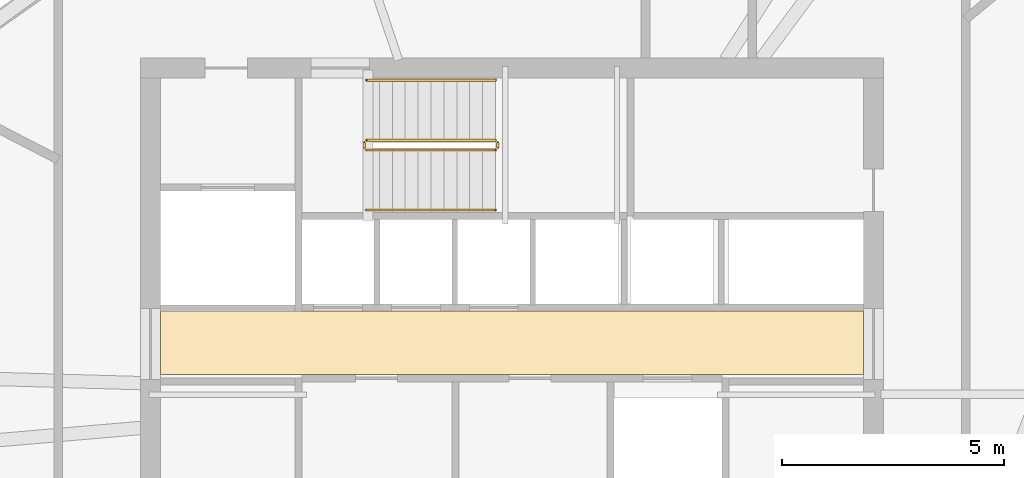
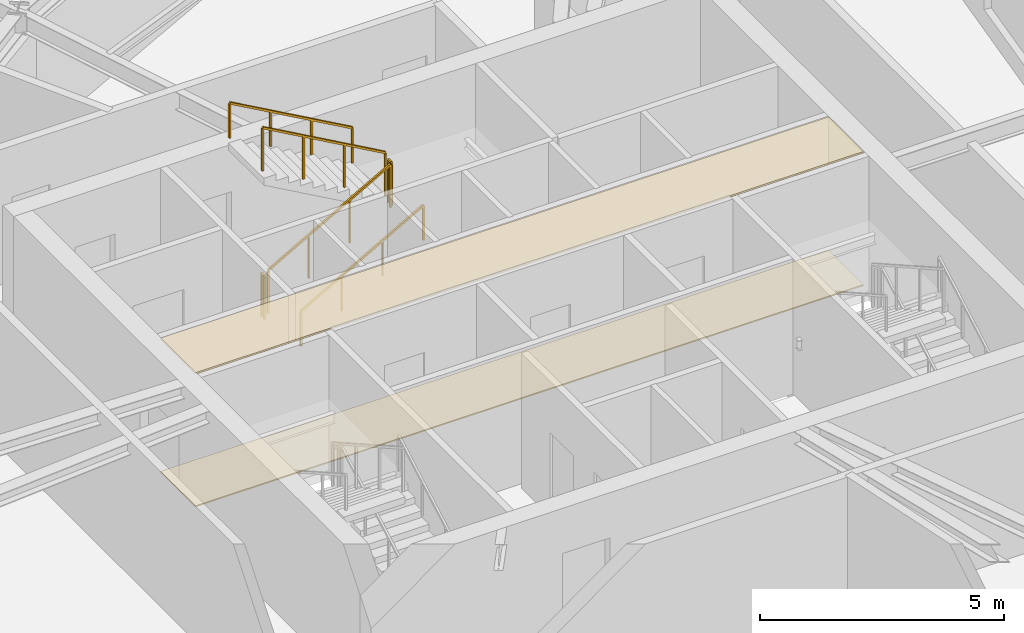
# One storey, part 13 of 14: 6 railings, 2 coverings.
"""IFC4 building model written with IfcOpenShell, lengths in metres."""

from ifc_helpers import new_model, si_unit, direction, frame, origin, origin_2d, place, context, subcontext, project, spatial, polyline, rectangle, outline, extrude, material, layer, layer_set, type_object, element, save


model = new_model("IFC4")

# Units and contexts
model_context = context("Model", 3, precision=1e-05, world=origin(), true_north=direction((0.0, 1.0)))
body_context = subcontext(model_context, "Body", "Model", "MODEL_VIEW")
ifc_project = project(units=[si_unit("LENGTHUNIT", "METRE"), si_unit("AREAUNIT", "SQUARE_METRE"), si_unit("VOLUMEUNIT", "CUBIC_METRE"), si_unit("PLANEANGLEUNIT", "RADIAN"), si_unit("MASSUNIT", "GRAM", prefix="KILO")], contexts=[model_context])

# Site, building, storey
site_placement = place(None, origin())
site = spatial("IfcSite", under=ifc_project, at=site_placement, CompositionType="ELEMENT")
building_placement = place(site_placement, origin())
building = spatial("IfcBuilding", under=site, at=building_placement, Name="Olszyna Solenne Hotel", CompositionType="ELEMENT")
storey_placement = place(building_placement, frame((0.0, 0.0, 256.10009765625)))
storey = spatial("IfcBuildingStorey", under=building, at=storey_placement, Name="L68", CompositionType="ELEMENT", Elevation=256.10009765625)

# Coverings
ifc_material_1 = material(Name="Mineral wool acoustic ceiling")
ifc_layer_1 = layer(ifc_material_1, 0.0400390625, Name="Mineral wool acoustic ceiling")
ifc_layer_set_1 = layer_set([ifc_layer_1], Name="Mineral wool acoustic ceiling")
covering_type_1 = type_object("IfcCoveringType", Name="CL-AC1", PredefinedType="CEILING", material=ifc_layer_set_1)
covering_1_placement = place(storey_placement, frame((0.0, 0.0, 3.31982421875)))
element("IfcCovering", 1, at=covering_1_placement, inside=storey, type_object=covering_type_1, Name="Lift lobby acoustic tile ceiling CL-L68-01", PredefinedType="CEILING", context=body_context, shape_type="SweptSolid", body=[
    extrude(outline(polyline([(30.10009765625, 27.030029296875), (45.89990234375, 27.030029296875), (45.89990234375, 28.4599609375), (30.10009765625, 28.4599609375), (30.10009765625, 27.030029296875)])), origin(), (0.0, 0.0, 1.0), 0.0400390625),
])
ifc_material_2 = material(Name="Ceramic floor tile")
ifc_layer_2 = layer(ifc_material_2, 0.030029296875, Name="Ceramic floor tile")
ifc_layer_set_2 = layer_set([ifc_layer_2], Name="Ceramic floor tile")
covering_type_2 = type_object("IfcCoveringType", Name="FL-TL1", PredefinedType="FLOORING", material=ifc_layer_set_2)
covering_2_placement = place(storey_placement, origin())
element("IfcCovering", 2, at=covering_2_placement, inside=storey, type_object=covering_type_2, Name="Lift lobby stoneware floor finish FLR-L68-01", PredefinedType="FLOORING", context=body_context, shape_type="SweptSolid", body=[
    extrude(outline(polyline([(30.10009765625, 27.030029296875), (45.89990234375, 27.030029296875), (45.89990234375, 28.4599609375), (30.10009765625, 28.4599609375), (30.10009765625, 27.030029296875)])), origin(), (0.0, 0.0, 1.0), 0.02978515625),
])

# Railings
ifc_material_3 = material(Name="Anodised bronze aluminium", Category="aluminium")
railing_type_1 = type_object("IfcRailingType", Name="GR-110", PredefinedType="BALUSTRADE", material=ifc_material_3)
railing_1_placement = place(storey_placement, frame((34.72998046875, 32.080078125, 0.16357421875)))
element("IfcRailing", 3, at=railing_1_placement, inside=storey, type_object=railing_type_1, Name="L68 ST3 stair guard 1", PredefinedType="BALUSTRADE", context=body_context, shape_type="SweptSolid", body=[
    extrude(rectangle(XDim=0.048095703125, YDim=0.048095703125, at=origin_2d()), frame((0.0, 0.0, 1.076171875), z_axis=(0.870928581787, 0.0, 0.491409610636), x_axis=(0.0, 1.0, 0.0)), (0.0, 0.0, 1.0), 3.32958984375),
    extrude(rectangle(XDim=0.0419921875, YDim=0.0419921875, at=origin_2d()), origin(), (0.0, 0.0, 1.0), 1.052001953125),
    extrude(rectangle(XDim=0.0419921875, YDim=0.0419921875, at=origin_2d()), frame((0.966552734375, 0.0, 0.54541015625)), (0.0, 0.0, 1.0), 1.052001953125),
    extrude(rectangle(XDim=0.0419921875, YDim=0.0419921875, at=origin_2d()), frame((1.933349609375, 0.0, 1.0908203125)), (0.0, 0.0, 1.0), 1.052001953125),
    extrude(rectangle(XDim=0.0419921875, YDim=0.0419921875, at=origin_2d()), frame((2.89990234375, 0.0, 1.63623046875)), (0.0, 0.0, 1.0), 1.052001953125),
])
railing_2_placement = place(storey_placement, frame((37.679931640625, 32.1298828125, 1.7998046875)))
element("IfcRailing", 4, at=railing_2_placement, inside=storey, type_object=railing_type_1, Name="L68 ST3 stair guard 2", PredefinedType="BALUSTRADE", context=body_context, shape_type="SweptSolid", body=[
    extrude(rectangle(XDim=0.048095703125, YDim=0.048095703125, at=origin_2d()), frame((0.0, 0.0, 1.076171875), z_axis=(0.0, 1.0, 0.0), x_axis=(-1.0, 0.0, 0.0)), (0.0, 0.0, 1.0), 0.1201171875),
    extrude(rectangle(XDim=0.0419921875, YDim=0.0419921875, at=origin_2d()), origin(), (0.0, 0.0, 1.0), 1.052001953125),
    extrude(rectangle(XDim=0.0419921875, YDim=0.0419921875, at=origin_2d()), frame((0.0, 0.1201171875, 0.0)), (0.0, 0.0, 1.0), 1.052001953125),
])
railing_3_placement = place(storey_placement, frame((37.6298828125, 32.300048828125, 1.963623046875)))
element("IfcRailing", 5, at=railing_3_placement, inside=storey, type_object=railing_type_1, Name="L68 ST3 stair guard 3", PredefinedType="BALUSTRADE", context=body_context, shape_type="SweptSolid", body=[
    extrude(rectangle(XDim=0.048095703125, YDim=0.048095703125, at=origin_2d()), frame((0.0, 0.0, 1.076171875), z_axis=(-0.870928581787, 0.0, 0.491409610636), x_axis=(0.0, -1.0, 0.0)), (0.0, 0.0, 1.0), 3.32958984375),
    extrude(rectangle(XDim=0.0419921875, YDim=0.0419921875, at=origin_2d()), origin(), (0.0, 0.0, 1.0), 1.052001953125),
    extrude(rectangle(XDim=0.0419921875, YDim=0.0419921875, at=origin_2d()), frame((-0.966552734375, 0.0, 0.54541015625)), (0.0, 0.0, 1.0), 1.052001953125),
    extrude(rectangle(XDim=0.0419921875, YDim=0.0419921875, at=origin_2d()), frame((-1.933349609375, 0.0, 1.0908203125)), (0.0, 0.0, 1.0), 1.052001953125),
    extrude(rectangle(XDim=0.0419921875, YDim=0.0419921875, at=origin_2d()), frame((-2.89990234375, 0.0, 1.63623046875)), (0.0, 0.0, 1.0), 1.052001953125),
])
railing_4_placement = place(storey_placement, frame((34.679931640625, 32.1298828125, 0.0)))
element("IfcRailing", 6, at=railing_4_placement, inside=storey, type_object=railing_type_1, Name="L68 ST3 stair guard 4", PredefinedType="BALUSTRADE", context=body_context, shape_type="SweptSolid", body=[
    extrude(rectangle(XDim=0.048095703125, YDim=0.048095703125, at=origin_2d()), frame((0.0, 0.0, 1.076171875), z_axis=(0.0, 1.0, 0.0), x_axis=(-1.0, 0.0, 0.0)), (0.0, 0.0, 1.0), 0.1201171875),
    extrude(rectangle(XDim=0.0419921875, YDim=0.0419921875, at=origin_2d()), origin(), (0.0, 0.0, 1.0), 1.052001953125),
    extrude(rectangle(XDim=0.0419921875, YDim=0.0419921875, at=origin_2d()), frame((0.0, 0.1201171875, 0.0)), (0.0, 0.0, 1.0), 1.052001953125),
])
ifc_material_4 = material(Name="Steel S355J2", Category="steel")
railing_type_2 = type_object("IfcRailingType", Name="HR-090", PredefinedType="HANDRAIL", material=ifc_material_4)
railing_5_placement = place(storey_placement, frame((34.72998046875, 30.72998046875, 0.16357421875)))
element("IfcRailing", 7, at=railing_5_placement, inside=storey, type_object=railing_type_2, Name="L68 ST3 stair handrail 1", PredefinedType="HANDRAIL", context=body_context, shape_type="SweptSolid", body=[
    extrude(rectangle(XDim=0.048095703125, YDim=0.048095703125, at=origin_2d()), frame((0.0, 0.0, 0.8759765625), z_axis=(0.870928581787, 0.0, 0.491409610636), x_axis=(0.0, 1.0, 0.0)), (0.0, 0.0, 1.0), 3.32958984375),
    extrude(rectangle(XDim=0.0419921875, YDim=0.0419921875, at=origin_2d()), origin(), (0.0, 0.0, 1.0), 0.851806640625),
    extrude(rectangle(XDim=0.0419921875, YDim=0.0419921875, at=origin_2d()), frame((0.966552734375, 0.0, 0.54541015625)), (0.0, 0.0, 1.0), 0.851806640625),
    extrude(rectangle(XDim=0.0419921875, YDim=0.0419921875, at=origin_2d()), frame((1.933349609375, 0.0, 1.0908203125)), (0.0, 0.0, 1.0), 0.851806640625),
    extrude(rectangle(XDim=0.0419921875, YDim=0.0419921875, at=origin_2d()), frame((2.89990234375, 0.0, 1.63623046875)), (0.0, 0.0, 1.0), 0.851806640625),
])
railing_6_placement = place(storey_placement, frame((37.6298828125, 33.64990234375, 1.963623046875)))
element("IfcRailing", 8, at=railing_6_placement, inside=storey, type_object=railing_type_2, Name="L68 ST3 stair handrail 2", PredefinedType="HANDRAIL", context=body_context, shape_type="SweptSolid", body=[
    extrude(rectangle(XDim=0.048095703125, YDim=0.048095703125, at=origin_2d()), frame((0.0, 0.0, 0.8759765625), z_axis=(-0.870928581787, 0.0, 0.491409610636), x_axis=(0.0, -1.0, 0.0)), (0.0, 0.0, 1.0), 3.32958984375),
    extrude(rectangle(XDim=0.0419921875, YDim=0.0419921875, at=origin_2d()), origin(), (0.0, 0.0, 1.0), 0.851806640625),
    extrude(rectangle(XDim=0.0419921875, YDim=0.0419921875, at=origin_2d()), frame((-0.966552734375, 0.0, 0.54541015625)), (0.0, 0.0, 1.0), 0.851806640625),
    extrude(rectangle(XDim=0.0419921875, YDim=0.0419921875, at=origin_2d()), frame((-1.933349609375, 0.0, 1.0908203125)), (0.0, 0.0, 1.0), 0.851806640625),
    extrude(rectangle(XDim=0.0419921875, YDim=0.0419921875, at=origin_2d()), frame((-2.89990234375, 0.0, 1.63623046875)), (0.0, 0.0, 1.0), 0.851806640625),
])

save(model, "model.ifc")
